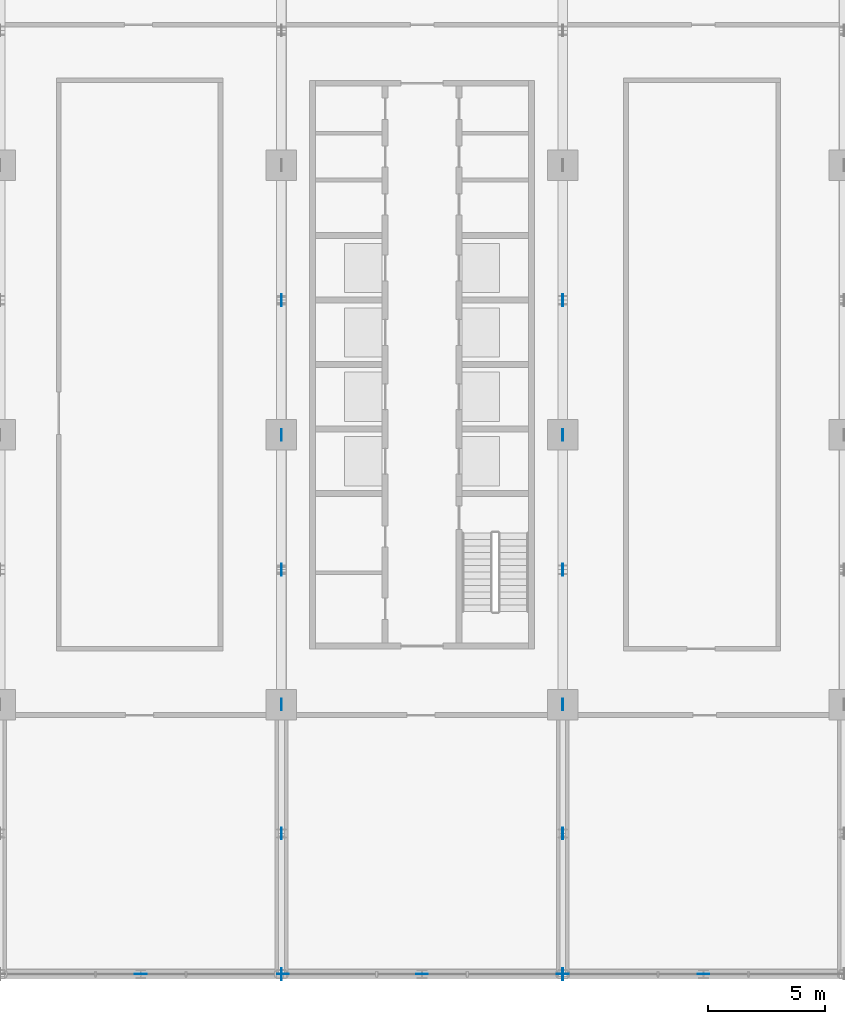
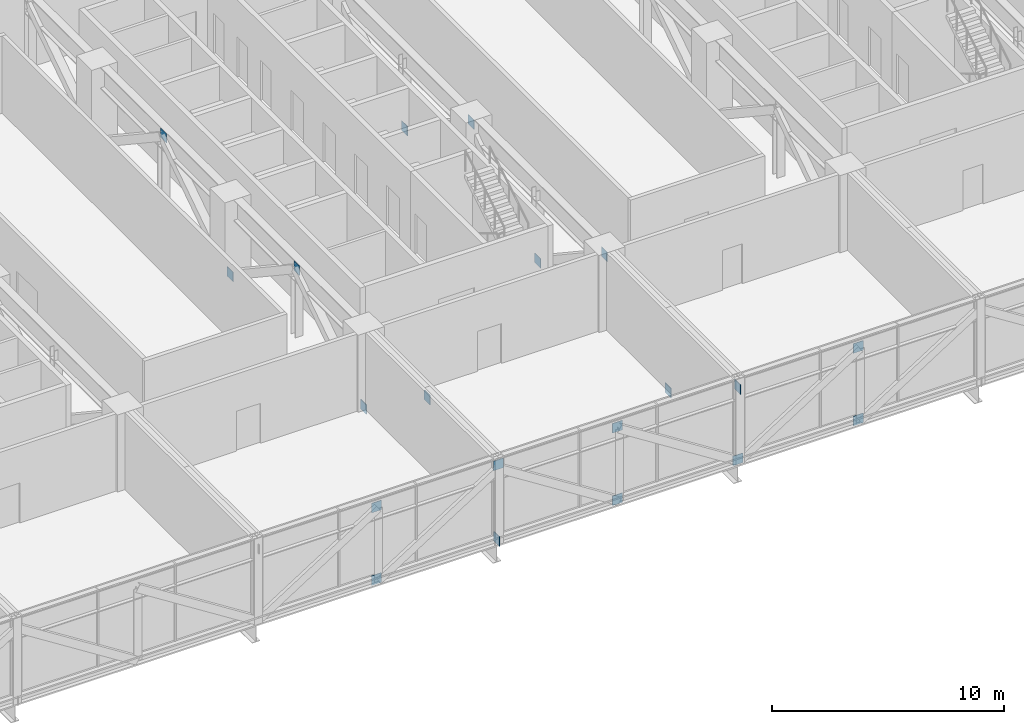
# One storey, part 23 of 30: 20 discrete accessories.
"""IFC4 building model written with IfcOpenShell, lengths in metres."""

from ifc_helpers import new_model, si_unit, direction, frame, origin, origin_2d, place, context, subcontext, project, spatial, rectangle, extrude, material, layer, layer_set, type_object, element, save


model = new_model("IFC4")

# Units and contexts
model_context = context("Model", 3, precision=1e-05, world=origin(), true_north=direction((0.0, 1.0)))
body_context = subcontext(model_context, "Body", "Model", "MODEL_VIEW")
ifc_project = project(units=[si_unit("LENGTHUNIT", "METRE"), si_unit("AREAUNIT", "SQUARE_METRE"), si_unit("VOLUMEUNIT", "CUBIC_METRE"), si_unit("PLANEANGLEUNIT", "RADIAN"), si_unit("MASSUNIT", "GRAM", prefix="KILO")], contexts=[model_context])

# Site, building, storey
site_placement = place(None, origin())
site = spatial("IfcSite", under=ifc_project, at=site_placement, CompositionType="ELEMENT")
building_placement = place(site_placement, origin())
building = spatial("IfcBuilding", under=site, at=building_placement, Name="Mahtab Terrace Research Tower", CompositionType="ELEMENT")
storey_placement = place(building_placement, frame((0.0, 0.0, 154.800048828125)))
storey = spatial("IfcBuildingStorey", under=building, at=storey_placement, Name="L36", CompositionType="ELEMENT", Elevation=154.800048828125)

# Discrete accessories
ifc_material = material(Name="Steel ASTM A992 Gr 50", Category="steel")
ifc_layer = layer(ifc_material, 0.030029296875)
ifc_layer_set = layer_set([ifc_layer], Name="Gusset plate 500x500x30")
discrete_accessory_type = type_object("IfcDiscreteAccessoryType", Name="Gusset plate 500x500x30", PredefinedType="USERDEFINED", material=ifc_layer_set)
for number, where, z_axis, x_axis, name in (
    (1, (-12.0, -23.0, -0.567626953125), (0.0, 0.0, 1.0), (1.0, 0.0, 0.0), "Gusset plate"),
    (2, (-12.0, -23.0, 3.251220703125), (0.0, 0.0, 1.0), (1.0, 0.0, 0.0), "Gusset plate"),
    (3, (-5.932373046875, -23.0, 3.345947265625), (0.0, 0.0, 1.0), (1.0, 0.0, 0.0), "Gusset plate"),
    (4, (0.0, -23.0, -0.567626953125), (0.0, 0.0, 1.0), (1.0, 0.0, 0.0), "Gusset plate"),
    (5, (0.0, -23.0, 3.251220703125), (0.0, 0.0, 1.0), (1.0, 0.0, 0.0), "Gusset plate"),
    (6, (6.0, -23.0, -0.567626953125), (0.0, 0.0, 1.0), (1.0, 0.0, 0.0), "Gusset plate"),
    (7, (12.0, -23.0, -0.567626953125), (0.0, 0.0, 1.0), (1.0, 0.0, 0.0), "Gusset plate"),
    (8, (12.0, -23.0, 3.251220703125), (0.0, 0.0, 1.0), (1.0, 0.0, 0.0), "Gusset plate"),
    (9, (-6.0, -23.0, -0.567626953125), (0.0, 0.0, 1.0), (0.0, 1.0, 0.0), "Gusset plate"),
    (10, (-6.0, -17.0, 3.251220703125), (0.0, 0.0, 1.0), (0.0, 1.0, 0.0), "Gusset plate"),
    (11, (-6.0, -11.5, -0.567626953125), (0.0, 0.0, 1.0), (0.0, 1.0, 0.0), "Gusset plate"),
    (12, (-6.0, -5.75, 3.251220703125), (0.0, 0.0, 1.0), (0.0, 1.0, 0.0), "Gusset plate"),
    (13, (-6.0, 0.0, -0.567626953125), (0.0, 0.0, 1.0), (0.0, 1.0, 0.0), "Gusset plate"),
    (14, (-6.0, 5.75, 3.251220703125), (0.0, 0.0, 1.0), (0.0, 1.0, 0.0), "Gusset plate"),
    (15, (6.0, -23.0, 3.251220703125), (0.0, 0.0, 1.0), (0.0, 1.0, 0.0), "Gusset plate"),
    (16, (6.0, -17.0, -0.567626953125), (0.0, 0.0, 1.0), (0.0, 1.0, 0.0), "Gusset plate"),
    (17, (6.0, -11.5, 3.251220703125), (0.0, 0.0, 1.0), (0.0, 1.0, 0.0), "Gusset plate"),
    (18, (6.0, -5.75, -0.567626953125), (0.0, 0.0, 1.0), (0.0, 1.0, 0.0), "Gusset plate"),
    (19, (6.0, 0.0, 3.251220703125), (0.0, 0.0, 1.0), (0.0, 1.0, 0.0), "Gusset plate"),
    (20, (6.0, 5.75, -0.567626953125), (0.0, 0.0, 1.0), (0.0, 1.0, 0.0), "Gusset plate"),
):
    element("IfcDiscreteAccessory", number, at=place(storey_placement, frame(where, z_axis=z_axis, x_axis=x_axis)), inside=storey, type_object=discrete_accessory_type, Name=name, ObjectType="GUSSET PLATE", PredefinedType="USERDEFINED", context=body_context, shape_type="SweptSolid", body=[
        extrude(rectangle(XDim=0.5, YDim=0.030029296875, at=origin_2d()), origin(), (0.0, 0.0, 1.0), 0.5),
    ])

save(model, "model.ifc")
